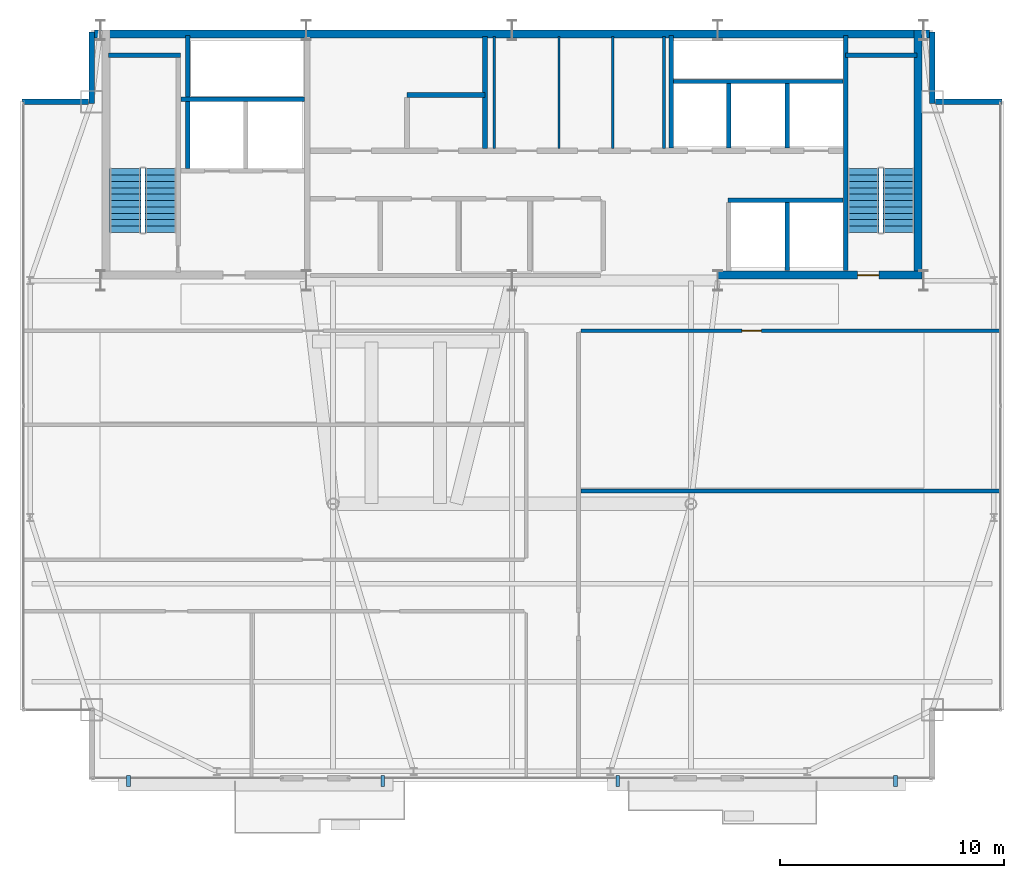
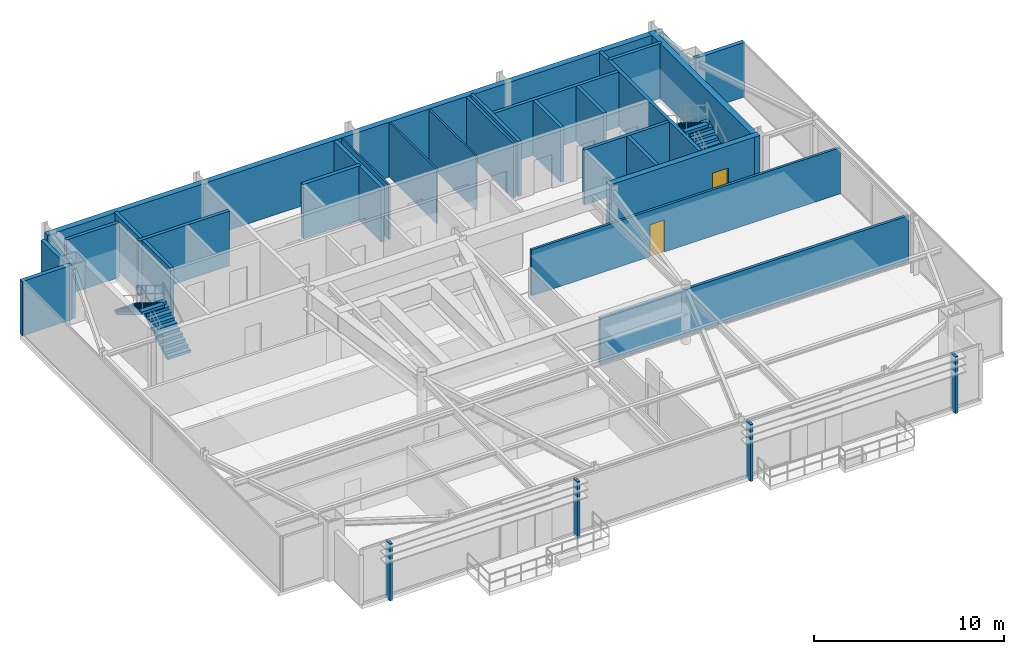
# One storey, part 19 of 21: 26 walls, 4 discrete accessories, 4 stair flights, 2 doors, 2 openings, 2 elements without a shape of their own.
"""IFC4 building model written with IfcOpenShell, lengths in metres."""

from ifc_helpers import new_model, si_unit, direction, frame, frame_2d, origin, origin_2d, place, context, subcontext, project, spatial, polyline, rectangle, outline, extrude, source, transform, mapped, material, layer, layer_set, type_object, type_shapes, element, fill, aggregate, save


model = new_model("IFC4")

# Units and contexts
model_context = context("Model", 3, precision=1e-05, world=origin(), true_north=direction((0.0, 1.0)))
body_context = subcontext(model_context, "Body", "Model", "MODEL_VIEW")
ifc_project = project(units=[si_unit("LENGTHUNIT", "METRE"), si_unit("AREAUNIT", "SQUARE_METRE"), si_unit("VOLUMEUNIT", "CUBIC_METRE"), si_unit("PLANEANGLEUNIT", "RADIAN"), si_unit("MASSUNIT", "GRAM", prefix="KILO")], contexts=[model_context])

# Site, building, storey
site_placement = place(None, origin())
site = spatial("IfcSite", under=ifc_project, at=site_placement, CompositionType="ELEMENT")
building_placement = place(site_placement, origin())
building = spatial("IfcBuilding", under=site, at=building_placement, Name="Varnel Quay Broadcast Tower", CompositionType="ELEMENT")
storey_placement = place(building_placement, frame((0.0, 0.0, 296.39990234375)))
storey = spatial("IfcBuildingStorey", under=building, at=storey_placement, Name="L74", CompositionType="ELEMENT", Elevation=296.39990234375)

# Walls
ifc_material_1 = material(Name="Concrete CSA A23.3 C50/60", Category="concrete")
ifc_layer_1 = layer(ifc_material_1, 0.199951171875, Name="Concrete CSA A23.3 C50/60")
ifc_layer_set_1 = layer_set([ifc_layer_1], Name="Concrete CSA A23.3 C50/60")
wall_type_1 = type_object("IfcWallType", Name="Wall_CoreShaftShear200", PredefinedType="SHEAR", material=ifc_layer_set_1)
wall_1_placement = place(storey_placement, frame((15.949951171875, 45.679931640625, 0.0), z_axis=(0.0, 0.0, 1.0), x_axis=(1.0, 0.0, 0.0)))
element("IfcWall", 1, at=wall_1_placement, inside=storey, type_object=wall_type_1, Name="L74 Stair 1 North Structural Wall", PredefinedType="SHEAR", context=body_context, shape_type="SweptSolid", body=[
    extrude(rectangle(XDim=3.22998046875, YDim=0.199951171875, at=frame_2d((1.614990234375, 0.0))), origin(), (0.0, 0.0, 1.0), 3.52001953125),
])
wall_2_placement = place(storey_placement, frame((19.199951171875, 43.699951171875, 0.0), z_axis=(0.0, 0.0, 1.0), x_axis=(1.0, 0.0, 0.0)))
element("IfcWall", 2, at=wall_2_placement, inside=storey, type_object=wall_type_1, Name="L74 Firefighter Lift Shaft Rear Wall", PredefinedType="SHEAR", context=body_context, shape_type="SweptSolid", body=[
    extrude(rectangle(XDim=5.52001953125, YDim=0.199951171875, at=frame_2d((2.760009765625, 0.0))), origin(), (0.0, 0.0, 1.0), 3.52001953125),
])
wall_3_placement = place(storey_placement, frame((19.5, 40.60009765625, 0.0), z_axis=(0.0, 0.0, 1.0), x_axis=(0.0, 1.0, 0.0)))
element("IfcWall", 3, at=wall_3_placement, inside=storey, type_object=wall_type_1, Name="L74 Firefighter Lift Shaft West Wall", PredefinedType="SHEAR", context=body_context, shape_type="SweptSolid", body=[
    extrude(rectangle(XDim=5.949951171875, YDim=0.199951171875, at=frame_2d((2.97509765625, 0.0))), origin(), (0.0, 0.0, 1.0), 3.52001953125),
])
wall_4_placement = place(storey_placement, frame((48.919921875, 36.050048828125, 0.0), z_axis=(0.0, 0.0, 1.0), x_axis=(0.0, 1.0, 0.0)))
element("IfcWall", 4, at=wall_4_placement, inside=storey, type_object=wall_type_1, Name="L74 Stair 2 West Structural Wall", PredefinedType="SHEAR", context=body_context, shape_type="SweptSolid", body=[
    extrude(rectangle(XDim=10.5, YDim=0.199951171875, at=frame_2d((5.25, 0.0))), origin(), (0.0, 0.0, 1.0), 3.52001953125),
])
wall_5_placement = place(storey_placement, frame((48.919921875, 45.679931640625, 0.0), z_axis=(0.0, 0.0, 1.0), x_axis=(1.0, 0.0, 0.0)))
element("IfcWall", 5, at=wall_5_placement, inside=storey, type_object=wall_type_1, Name="L74 Stair 2 North Structural Wall", PredefinedType="SHEAR", context=body_context, shape_type="SweptSolid", body=[
    extrude(rectangle(XDim=3.18017578125, YDim=0.199951171875, at=frame_2d((1.590087890625, 0.0))), origin(), (0.0, 0.0, 1.0), 3.52001953125),
])
wall_6_placement = place(storey_placement, frame((41.219970703125, 44.5, 0.0), z_axis=(0.0, 0.0, 1.0), x_axis=(1.0, 0.0, 0.0)))
element("IfcWall", 6, at=wall_6_placement, inside=storey, type_object=wall_type_1, Name="L74 High-Rise Lift Shaft Rear Wall", PredefinedType="SHEAR", context=body_context, shape_type="SweptSolid", body=[
    extrude(rectangle(XDim=7.580078125, YDim=0.199951171875, at=frame_2d((3.7900390625, 0.0))), origin(), (0.0, 0.0, 1.0), 3.52001953125),
])
wall_7_placement = place(storey_placement, frame((41.1201171875, 41.530029296875, 0.0), z_axis=(0.0, 0.0, 1.0), x_axis=(0.0, 1.0, 0.0)))
element("IfcWall", 7, at=wall_7_placement, inside=storey, type_object=wall_type_1, Name="L74 High-Rise Lift Shaft Divider 1", PredefinedType="SHEAR", context=body_context, shape_type="SweptSolid", body=[
    extrude(rectangle(XDim=5.02001953125, YDim=0.199951171875, at=frame_2d((2.510009765625, 0.0))), origin(), (0.0, 0.0, 1.0), 3.52001953125),
])
for number, where, z_axis, x_axis, name in (
    (8, (43.699951171875, 41.530029296875, 0.0), (0.0, 0.0, 1.0), (0.0, 1.0, 0.0), "L74 High-Rise Lift Shaft Divider 2"),
    (9, (46.300048828125, 41.530029296875, 0.0), (0.0, 0.0, 1.0), (0.0, 1.0, 0.0), "L74 High-Rise Lift Shaft Divider 3"),
):
    element("IfcWall", number, at=place(storey_placement, frame(where, z_axis=z_axis, x_axis=x_axis)), inside=storey, type_object=wall_type_1, Name=name, PredefinedType="SHEAR", context=body_context, shape_type="SweptSolid", body=[
        extrude(rectangle(XDim=2.869873046875, YDim=0.199951171875, at=frame_2d((1.43505859375, 0.0))), origin(), (0.0, 0.0, 1.0), 3.52001953125),
    ])
wall_8_placement = place(storey_placement, frame((46.300048828125, 36.050048828125, 0.0), z_axis=(0.0, 0.0, 1.0), x_axis=(0.0, 1.0, 0.0)))
element("IfcWall", 10, at=wall_8_placement, inside=storey, type_object=wall_type_1, Name="L74 Express Lift Shaft Divider", PredefinedType="SHEAR", context=body_context, shape_type="SweptSolid", body=[
    extrude(rectangle(XDim=3.050048828125, YDim=0.199951171875, at=frame_2d((1.52490234375, 0.0))), origin(), (0.0, 0.0, 1.0), 3.52001953125),
])
wall_9_placement = place(storey_placement, frame((43.64990234375, 39.199951171875, 0.0), z_axis=(0.0, 0.0, 1.0), x_axis=(1.0, 0.0, 0.0)))
element("IfcWall", 11, at=wall_9_placement, inside=storey, type_object=wall_type_1, Name="L74 Express Lift Shaft North Front Wall", PredefinedType="SHEAR", context=body_context, shape_type="SweptSolid", body=[
    extrude(rectangle(XDim=5.150146484375, YDim=0.199951171875, at=frame_2d((2.5751953125, 0.0))), origin(), (0.0, 0.0, 1.0), 3.52001953125),
])
ifc_layer_2 = layer(ifc_material_1, 0.35009765625, Name="Concrete CSA A23.3 C50/60")
ifc_layer_set_2 = layer_set([ifc_layer_2], Name="Concrete CSA A23.3 C50/60")
wall_type_2 = type_object("IfcWallType", Name="Wall_CoreShearExt350", PredefinedType="SHEAR", material=ifc_layer_set_2)
wall_10_placement = place(storey_placement, frame((15.324951171875, 46.625, 0.0), z_axis=(0.0, 0.0, 1.0), x_axis=(1.0, 0.0, 0.0)))
element("IfcWall", 12, at=wall_10_placement, inside=storey, type_object=wall_type_2, Name="L74 North Core Shear Wall", PredefinedType="SHEAR", context=body_context, shape_type="SweptSolid", body=[
    extrude(rectangle(XDim=37.35009765625, YDim=0.35009765625, at=frame_2d((18.675048828125, 0.0))), origin(), (0.0, 0.0, 1.0), 3.52001953125),
])
ifc_layer_3 = layer(ifc_material_1, 0.35009765625, Name="Concrete CSA A23.3 C50/60")
ifc_layer_set_3 = layer_set([ifc_layer_3], Name="Concrete CSA A23.3 C50/60")
wall_type_3 = type_object("IfcWallType", Name="Wall_CoreShearInt350", PredefinedType="SHEAR", material=ifc_layer_set_3)
wall_11_placement = place(storey_placement, frame((52.155029296875, 35.669921875, 0.0), z_axis=(0.0, 0.0, 1.0), x_axis=(0.0, 1.0, 0.0)))
element("IfcWall", 13, at=wall_11_placement, inside=storey, type_object=wall_type_3, Name="L74 East Core Shear Wall", PredefinedType="SHEAR", context=body_context, shape_type="SweptSolid", body=[
    extrude(rectangle(XDim=11.130126953125, YDim=0.35009765625, at=frame_2d((5.56494140625, 0.0))), origin(), (0.0, 0.0, 1.0), 3.52001953125),
])

# Wall, opening, door
wall_12_placement = place(storey_placement, frame((43.199951171875, 35.844970703125, 0.0), z_axis=(0.0, 0.0, 1.0), x_axis=(1.0, 0.0, 0.0)))
wall_12 = element("IfcWall", 14, at=wall_12_placement, inside=storey, type_object=wall_type_3, Name="L74 South-East Core Shear Wall", PredefinedType="SHEAR", context=body_context, shape_type="SweptSolid", body=[
    extrude(rectangle(XDim=9.130126953125, YDim=0.35009765625, at=frame_2d((4.56494140625, 0.0))), origin(), (0.0, 0.0, 1.0), 3.52001953125),
])
opening_1_placement = place(wall_12_placement, frame((6.25, 0.0, 0.0)))
opening_1 = element("IfcOpeningElement", 15, at=opening_1_placement, cuts=wall_12, Name="Opening D-L74-S2", PredefinedType="OPENING", context=body_context, shape_type="SweptSolid", body=[
    extrude(rectangle(XDim=0.949951171875, YDim=2.10009765625, at=frame_2d((0.47509765625, 1.050048828125))), frame((0.0, 0.18505859375, 0.0), z_axis=(0.0, -1.0, 0.0), x_axis=(1.0, 0.0, 0.0)), (0.0, 0.0, 1.0), 0.3701171875),
])
ifc_material_2 = material(Name="Insulated Fire-Rated Hollow Steel Door", Category="steel")
door_type_1 = type_object("IfcDoorType", Name="Door_FireStair950", OperationType="NOTDEFINED", PredefinedType="DOOR", material=ifc_material_2)
shared_shape_1 = source(origin(), body_context, "Body", "SweptSolid", [
    extrude(rectangle(XDim=0.949951171875, YDim=2.10009765625, at=frame_2d((0.47509765625, 1.050048828125))), frame((0.0, 0.02490234375, 0.0), z_axis=(0.0, -1.0, 0.0), x_axis=(1.0, 0.0, 0.0)), (0.0, 0.0, 1.0), 0.050048828125),
])
type_shapes(door_type_1, [shared_shape_1])
door_1_placement = place(opening_1_placement, origin())
door_1 = element("IfcDoor", 16, at=door_1_placement, inside=storey, type_object=door_type_1, Name="L74 Stair 2 Fire Door", OperationType="SINGLE_SWING_RIGHT", OverallHeight=2.10009765625, OverallWidth=0.949951171875, PredefinedType="DOOR", context=body_context, shape_type="MappedRepresentation", body=[
    mapped(shared_shape_1, transform((0.0, 0.0, 0.0), x_axis=(1.0, 0.0, 0.0), y_axis=(0.0, 1.0, 0.0), z_axis=(0.0, 0.0, 1.0), scale=1.0)),
])
fill(opening_1, door_1)

# Walls
ifc_material_3 = material(Name="Precast Architectural Concrete C40/50", Category="concrete")
ifc_layer_4 = layer(ifc_material_3, 0.25, Name="Precast Architectural Concrete C40/50")
ifc_layer_set_4 = layer_set([ifc_layer_4], Name="Precast Architectural Concrete C40/50")
wall_type_4 = type_object("IfcWallType", Name="Wall_ExtTerrace250", PredefinedType="SOLIDWALL", material=ifc_layer_set_4)
wall_13_placement = place(storey_placement, frame((12.080078125, 43.60009765625, 0.0), z_axis=(0.0, 0.0, 1.0), x_axis=(1.0, 0.0, 0.0)))
element("IfcWall", 17, at=wall_13_placement, inside=storey, type_object=wall_type_4, Name="L74 Mega-Column Notch Cladding Wall NNW1", PredefinedType="SOLIDWALL", context=body_context, shape_type="SweptSolid", body=[
    extrude(rectangle(XDim=2.989990234375, YDim=0.25, at=frame_2d((1.4951171875, 0.0))), origin(), (0.0, 0.0, 1.0), 3.5),
])
wall_14_placement = place(storey_placement, frame((15.199951171875, 43.52001953125, 0.0), z_axis=(0.0, 0.0, 1.0), x_axis=(0.0, 1.0, 0.0)))
element("IfcWall", 18, at=wall_14_placement, inside=storey, type_object=wall_type_4, Name="L74 Mega-Column Notch Cladding Wall NNW2", PredefinedType="SOLIDWALL", context=body_context, shape_type="SweptSolid", body=[
    extrude(rectangle(XDim=3.199951171875, YDim=0.25, at=frame_2d((1.60009765625, 0.0))), origin(), (0.0, 0.0, 1.0), 3.14111328125),
])
wall_15_placement = place(storey_placement, frame((52.929931640625, 43.60009765625, 0.0), z_axis=(0.0, 0.0, 1.0), x_axis=(1.0, 0.0, 0.0)))
element("IfcWall", 19, at=wall_15_placement, inside=storey, type_object=wall_type_4, Name="L74 Mega-Column Notch Cladding Wall NNE1", PredefinedType="SOLIDWALL", context=body_context, shape_type="SweptSolid", body=[
    extrude(rectangle(XDim=2.989990234375, YDim=0.25, at=frame_2d((1.4951171875, 0.0))), origin(), (0.0, 0.0, 1.0), 3.5),
])
wall_16_placement = place(storey_placement, frame((52.800048828125, 43.52001953125, 0.0), z_axis=(0.0, 0.0, 1.0), x_axis=(0.0, 1.0, 0.0)))
element("IfcWall", 20, at=wall_16_placement, inside=storey, type_object=wall_type_4, Name="L74 Mega-Column Notch Cladding Wall NNE2", PredefinedType="SOLIDWALL", context=body_context, shape_type="SweptSolid", body=[
    extrude(rectangle(XDim=3.199951171875, YDim=0.25, at=frame_2d((1.60009765625, 0.0))), origin(), (0.0, 0.0, 1.0), 3.14111328125),
])
ifc_material_4 = material(Name="Steel-Stud Fire-Rated Acoustic Gypsum Partition Assembly", Category="steel")
ifc_layer_5 = layer(ifc_material_4, 0.10498046875, Name="Steel-Stud Fire-Rated Acoustic Gypsum Partition Assembly")
ifc_layer_set_5 = layer_set([ifc_layer_5], Name="Steel-Stud Fire-Rated Acoustic Gypsum Partition Assembly")
wall_type_5 = type_object("IfcWallType", Name="Wall_Partition105", PredefinedType="PARTITIONING", material=ifc_layer_set_5)
for number, where, z_axis, x_axis, name in (
    (21, (36.10009765625, 41.5, 0.0), (0.0, 0.0, 1.0), (0.0, 1.0, 0.0), "L74 Audio Patch Closet Partition 22"),
    (22, (33.199951171875, 41.5, 0.0), (0.0, 0.0, 1.0), (0.0, 1.0, 0.0), "L74 Audio Patch Closet Partition 23"),
    (23, (38.5, 41.5, 0.0), (0.0, 0.0, 1.0), (0.0, 1.0, 0.0), "L74 Bureau Reference Archive Partition 24"),
):
    element("IfcWall", number, at=place(storey_placement, frame(where, z_axis=z_axis, x_axis=x_axis)), inside=storey, type_object=wall_type_5, Name=name, PredefinedType="PARTITIONING", context=body_context, shape_type="SweptSolid", body=[
        extrude(rectangle(XDim=5.02001953125, YDim=0.10498046875, at=frame_2d((2.510009765625, 0.0))), origin(), (0.0, 0.0, 1.0), 3.5),
    ])

# Wall, opening, door
ifc_layer_6 = layer(ifc_material_4, 0.14990234375, Name="Steel-Stud Fire-Rated Acoustic Gypsum Partition Assembly")
ifc_layer_set_6 = layer_set([ifc_layer_6], Name="Steel-Stud Fire-Rated Acoustic Gypsum Partition Assembly")
wall_type_6 = type_object("IfcWallType", Name="Wall_Partition150", PredefinedType="PARTITIONING", material=ifc_layer_set_6)
wall_17_placement = place(storey_placement, frame((37.080078125, 33.35009765625, 0.0), z_axis=(0.0, 0.0, 1.0), x_axis=(1.0, 0.0, 0.0)))
wall_17 = element("IfcWall", 24, at=wall_17_placement, inside=storey, type_object=wall_type_6, Name="L74 Break Kitchen 6 Partition 18", PredefinedType="PARTITIONING", context=body_context, shape_type="SweptSolid", body=[
    extrude(rectangle(XDim=18.739990234375, YDim=0.14990234375, at=frame_2d((9.3701171875, 0.0))), origin(), (0.0, 0.0, 1.0), 2.951171875),
])
opening_2_placement = place(wall_17_placement, frame((7.195068359375, 0.0, 0.0)))
opening_2 = element("IfcOpeningElement", 25, at=opening_2_placement, cuts=wall_17, Name="Opening D-L74-10", PredefinedType="OPENING", context=body_context, shape_type="SweptSolid", body=[
    extrude(rectangle(XDim=0.8798828125, YDim=2.06005859375, at=frame_2d((0.43994140625, 1.030029296875))), frame((0.0, 0.0849609375, 0.0), z_axis=(0.0, -1.0, 0.0), x_axis=(1.0, 0.0, 0.0)), (0.0, 0.0, 1.0), 0.169921875),
])
ifc_material_5 = material(Name="Solid-Core Fire-Rated Acoustic Oak Veneer Door", Category="wood")
door_type_2 = type_object("IfcDoorType", Name="Door_Booth880", OperationType="NOTDEFINED", PredefinedType="DOOR", material=ifc_material_5)
shared_shape_2 = source(origin(), body_context, "Body", "SweptSolid", [
    extrude(rectangle(XDim=0.8798828125, YDim=2.06005859375, at=frame_2d((0.43994140625, 1.030029296875))), frame((0.0, 0.02490234375, 0.0), z_axis=(0.0, -1.0, 0.0), x_axis=(1.0, 0.0, 0.0)), (0.0, 0.0, 1.0), 0.050048828125),
])
type_shapes(door_type_2, [shared_shape_2])
door_2_placement = place(opening_2_placement, frame((0.8798828125, 0.0, 0.0), z_axis=(0.0, 0.0, 1.0), x_axis=(-1.0, 0.0, 0.0)))
door_2 = element("IfcDoor", 26, at=door_2_placement, inside=storey, type_object=door_type_2, Name="L74 Break Kitchen 6 Door D-L74-10", OperationType="SINGLE_SWING_LEFT", OverallHeight=2.06005859375, OverallWidth=0.8798828125, PredefinedType="DOOR", context=body_context, shape_type="MappedRepresentation", body=[
    mapped(shared_shape_2, transform((0.0, 0.0, 0.0), x_axis=(1.0, 0.0, 0.0), y_axis=(0.0, 1.0, 0.0), z_axis=(0.0, 0.0, 1.0), scale=1.0)),
])
fill(opening_2, door_2)

# Walls
wall_18_placement = place(storey_placement, frame((40.800048828125, 41.5, 0.0), z_axis=(0.0, 0.0, 1.0), x_axis=(0.0, 1.0, 0.0)))
element("IfcWall", 27, at=wall_18_placement, inside=storey, type_object=wall_type_6, Name="L74 Crew Espresso Niche Partition 25", PredefinedType="PARTITIONING", context=body_context, shape_type="SweptSolid", body=[
    extrude(rectangle(XDim=5.02001953125, YDim=0.14990234375, at=frame_2d((2.510009765625, 0.0))), origin(), (0.0, 0.0, 1.0), 3.5),
])
ifc_layer_7 = layer(ifc_material_4, 0.175048828125, Name="Steel-Stud Fire-Rated Acoustic Gypsum Partition Assembly")
ifc_layer_set_7 = layer_set([ifc_layer_7], Name="Steel-Stud Fire-Rated Acoustic Gypsum Partition Assembly")
wall_type_7 = type_object("IfcWallType", Name="Wall_Partition175", PredefinedType="PARTITIONING", material=ifc_layer_set_7)
wall_19_placement = place(storey_placement, frame((37.080078125, 26.179931640625, 0.0), z_axis=(0.0, 0.0, 1.0), x_axis=(1.0, 0.0, 0.0)))
element("IfcWall", 28, at=wall_19_placement, inside=storey, type_object=wall_type_7, Name="L74 Editorial Boardroom 5 Partition 14", PredefinedType="PARTITIONING", context=body_context, shape_type="SweptSolid", body=[
    extrude(rectangle(XDim=18.739990234375, YDim=0.175048828125, at=frame_2d((9.3701171875, 0.0))), origin(), (0.0, 0.0, 1.0), 2.951171875),
])
ifc_layer_8 = layer(ifc_material_4, 0.22509765625, Name="Steel-Stud Fire-Rated Acoustic Gypsum Partition Assembly")
ifc_layer_set_8 = layer_set([ifc_layer_8], Name="Steel-Stud Fire-Rated Acoustic Gypsum Partition Assembly")
wall_type_8 = type_object("IfcWallType", Name="Wall_Partition225", PredefinedType="PARTITIONING", material=ifc_layer_set_8)
wall_20_placement = place(storey_placement, frame((29.300048828125, 43.89990234375, 0.0), z_axis=(0.0, 0.0, 1.0), x_axis=(1.0, 0.0, 0.0)))
element("IfcWall", 29, at=wall_20_placement, inside=storey, type_object=wall_type_8, Name="L74 Signal Routing Suite Partition 20", PredefinedType="PARTITIONING", context=body_context, shape_type="SweptSolid", body=[
    extrude(rectangle(XDim=3.5, YDim=0.22509765625, at=frame_2d((1.75, 0.0))), origin(), (0.0, 0.0, 1.0), 3.5),
])
wall_21_placement = place(storey_placement, frame((32.800048828125, 41.5, 0.0), z_axis=(0.0, 0.0, 1.0), x_axis=(0.0, 1.0, 0.0)))
element("IfcWall", 30, at=wall_21_placement, inside=storey, type_object=wall_type_8, Name="L74 Signal Routing Suite Partition 21", PredefinedType="PARTITIONING", context=body_context, shape_type="SweptSolid", body=[
    extrude(rectangle(XDim=5.02001953125, YDim=0.22509765625, at=frame_2d((2.510009765625, 0.0))), origin(), (0.0, 0.0, 1.0), 3.5),
])

# Stair, stair flights
ifc_material_6 = material(Name="Precast Structural Concrete C40/50", Category="concrete")
stair_type_1 = type_object("IfcStairType", Name="Stair_ST-01", PredefinedType="HALF_TURN_STAIR", material=ifc_material_6)
stair_1_placement = place(storey_placement, origin())
stair_1 = element("IfcStair", 31, at=stair_1_placement, inside=storey, type_object=stair_type_1, Name="L74 West Core Exit Stair 1", PredefinedType="HALF_TURN_STAIR")
stair_flight_type_1 = type_object("IfcStairFlightType", Name="Flight_ST-01", PredefinedType="STRAIGHT", material=ifc_material_6)
stair_flight_1_placement = place(storey_placement, frame((18.300048828125, 37.75, 0.0), z_axis=(0.0, 0.0, 1.0), x_axis=(0.0, 1.0, 0.0)))
stair_flight_1 = element("IfcStairFlight", 32, at=stair_flight_1_placement, type_object=stair_flight_type_1, Name="ST-01 flight 1", NumberOfRisers=11, NumberOfTreads=10, PredefinedType="STRAIGHT", RiserHeight=0.172727273, TreadLength=0.285, context=body_context, shape_type="SweptSolid", body=[
    extrude(outline(polyline([(0.0, 0.0), (0.0, 0.172607421875), (0.284912109375, 0.172607421875), (0.284912109375, 0.345458984375), (0.570068359375, 0.345458984375), (0.570068359375, 0.51806640625), (0.85498046875, 0.51806640625), (0.85498046875, 0.69091796875), (1.139892578125, 0.69091796875), (1.139892578125, 0.863525390625), (1.425048828125, 0.863525390625), (1.425048828125, 1.036376953125), (1.7099609375, 1.036376953125), (1.7099609375, 1.208984375), (1.9951171875, 1.208984375), (1.9951171875, 1.3818359375), (2.280029296875, 1.3818359375), (2.280029296875, 1.554443359375), (2.56494140625, 1.554443359375), (2.56494140625, 1.727294921875), (2.85009765625, 1.727294921875), (2.85009765625, 1.89990234375), (2.85009765625, 1.552001953125), (0.289306640625, 0.0), (0.0, 0.0)])), frame((0.0, 0.699951171875, 0.0), z_axis=(0.0, -1.0, 0.0), x_axis=(1.0, 0.0, 0.0)), (0.0, 0.0, 1.0), 1.39990234375),
])
stair_flight_2_placement = place(storey_placement, frame((16.699951171875, 40.60009765625, 1.900146484375), z_axis=(0.0, 0.0, 1.0), x_axis=(0.0, -1.0, 0.0)))
stair_flight_2 = element("IfcStairFlight", 33, at=stair_flight_2_placement, type_object=stair_flight_type_1, Name="ST-01 flight 2", NumberOfRisers=11, NumberOfTreads=10, PredefinedType="STRAIGHT", RiserHeight=0.172727273, TreadLength=0.285, context=body_context, shape_type="SweptSolid", body=[
    extrude(outline(polyline([(0.0, 0.0), (0.0, 0.172607421875), (0.284912109375, 0.172607421875), (0.284912109375, 0.345458984375), (0.570068359375, 0.345458984375), (0.570068359375, 0.51806640625), (0.85498046875, 0.51806640625), (0.85498046875, 0.69091796875), (1.139892578125, 0.69091796875), (1.139892578125, 0.863525390625), (1.425048828125, 0.863525390625), (1.425048828125, 1.036376953125), (1.7099609375, 1.036376953125), (1.7099609375, 1.208984375), (1.9951171875, 1.208984375), (1.9951171875, 1.3818359375), (2.280029296875, 1.3818359375), (2.280029296875, 1.554443359375), (2.56494140625, 1.554443359375), (2.56494140625, 1.727294921875), (2.85009765625, 1.727294921875), (2.85009765625, 1.89990234375), (2.85009765625, 1.552001953125), (0.289306640625, 0.0), (0.0, 0.0)])), frame((0.0, 0.699951171875, 0.0), z_axis=(0.0, -1.0, 0.0), x_axis=(1.0, 0.0, 0.0)), (0.0, 0.0, 1.0), 1.39990234375),
])
aggregate(stair_1, [stair_flight_1, stair_flight_2])

stair_type_2 = type_object("IfcStairType", Name="Stair_ST-02", PredefinedType="HALF_TURN_STAIR", material=ifc_material_6)
stair_2_placement = place(storey_placement, origin())
stair_2 = element("IfcStair", 34, at=stair_2_placement, inside=storey, type_object=stair_type_2, Name="L74 East Core Exit Stair 2", PredefinedType="HALF_TURN_STAIR")
stair_flight_type_2 = type_object("IfcStairFlightType", Name="Flight_ST-02", PredefinedType="STRAIGHT", material=ifc_material_6)
stair_flight_3_placement = place(storey_placement, frame((51.300048828125, 37.75, 0.0), z_axis=(0.0, 0.0, 1.0), x_axis=(0.0, 1.0, 0.0)))
stair_flight_3 = element("IfcStairFlight", 35, at=stair_flight_3_placement, type_object=stair_flight_type_2, Name="ST-02 flight 1", NumberOfRisers=11, NumberOfTreads=10, PredefinedType="STRAIGHT", RiserHeight=0.172727273, TreadLength=0.285, context=body_context, shape_type="SweptSolid", body=[
    extrude(outline(polyline([(0.0, 0.0), (0.0, 0.172607421875), (0.284912109375, 0.172607421875), (0.284912109375, 0.345458984375), (0.570068359375, 0.345458984375), (0.570068359375, 0.51806640625), (0.85498046875, 0.51806640625), (0.85498046875, 0.69091796875), (1.139892578125, 0.69091796875), (1.139892578125, 0.863525390625), (1.425048828125, 0.863525390625), (1.425048828125, 1.036376953125), (1.7099609375, 1.036376953125), (1.7099609375, 1.208984375), (1.9951171875, 1.208984375), (1.9951171875, 1.3818359375), (2.280029296875, 1.3818359375), (2.280029296875, 1.554443359375), (2.56494140625, 1.554443359375), (2.56494140625, 1.727294921875), (2.85009765625, 1.727294921875), (2.85009765625, 1.89990234375), (2.85009765625, 1.552001953125), (0.289306640625, 0.0), (0.0, 0.0)])), frame((0.0, 0.699951171875, 0.0), z_axis=(0.0, -1.0, 0.0), x_axis=(1.0, 0.0, 0.0)), (0.0, 0.0, 1.0), 1.39990234375),
])
stair_flight_4_placement = place(storey_placement, frame((49.699951171875, 40.60009765625, 1.900146484375), z_axis=(0.0, 0.0, 1.0), x_axis=(0.0, -1.0, 0.0)))
stair_flight_4 = element("IfcStairFlight", 36, at=stair_flight_4_placement, type_object=stair_flight_type_2, Name="ST-02 flight 2", NumberOfRisers=11, NumberOfTreads=10, PredefinedType="STRAIGHT", RiserHeight=0.172727273, TreadLength=0.285, context=body_context, shape_type="SweptSolid", body=[
    extrude(outline(polyline([(0.0, 0.0), (0.0, 0.172607421875), (0.284912109375, 0.172607421875), (0.284912109375, 0.345458984375), (0.570068359375, 0.345458984375), (0.570068359375, 0.51806640625), (0.85498046875, 0.51806640625), (0.85498046875, 0.69091796875), (1.139892578125, 0.69091796875), (1.139892578125, 0.863525390625), (1.425048828125, 0.863525390625), (1.425048828125, 1.036376953125), (1.7099609375, 1.036376953125), (1.7099609375, 1.208984375), (1.9951171875, 1.208984375), (1.9951171875, 1.3818359375), (2.280029296875, 1.3818359375), (2.280029296875, 1.554443359375), (2.56494140625, 1.554443359375), (2.56494140625, 1.727294921875), (2.85009765625, 1.727294921875), (2.85009765625, 1.89990234375), (2.85009765625, 1.552001953125), (0.289306640625, 0.0), (0.0, 0.0)])), frame((0.0, 0.699951171875, 0.0), z_axis=(0.0, -1.0, 0.0), x_axis=(1.0, 0.0, 0.0)), (0.0, 0.0, 1.0), 1.39990234375),
])
aggregate(stair_2, [stair_flight_3, stair_flight_4])

# Discrete accessories
ifc_material_7 = material(Name="Anodised Bronze Aluminium 6063-T6", Category="aluminium")
ifc_layer_9 = layer(ifc_material_7, 0.47998046875, Name="Anodised Bronze Aluminium 6063-T6")
ifc_layer_set_9 = layer_set([ifc_layer_9], Name="Anodised Bronze Aluminium 6063-T6")
discrete_accessory_type = type_object("IfcDiscreteAccessoryType", Name="Acc_FacadeBracket", PredefinedType="BRACKET", material=ifc_layer_set_9)
shared_shape_3 = source(origin(), body_context, "Body", "SweptSolid", [
    extrude(rectangle(XDim=0.159912109375, YDim=0.47998046875, at=origin_2d()), origin(), (0.0, 0.0, 1.0), 3.64990234375),
])
type_shapes(discrete_accessory_type, [shared_shape_3])
for number, where, z_axis, x_axis, name in (
    (37, (16.85009765625, 13.219970703125, -0.14990234375), (0.0, 0.0, 1.0), (1.0, 0.0, 0.0), "L74 Lobe 1 Louvre Support Bracket 1"),
    (38, (28.220947265625, 13.219970703125, -0.14990234375), (0.0, 0.0, 1.0), (1.0, 0.0, 0.0), "L74 Lobe 1 Louvre Support Bracket 2"),
    (39, (38.720947265625, 13.219970703125, -0.14990234375), (0.0, 0.0, 1.0), (1.0, 0.0, 0.0), "L74 Lobe 2 Louvre Support Bracket 1"),
    (40, (51.14990234375, 13.219970703125, -0.14990234375), (0.0, 0.0, 1.0), (1.0, 0.0, 0.0), "L74 Lobe 2 Louvre Support Bracket 2"),
):
    element("IfcDiscreteAccessory", number, at=place(storey_placement, frame(where, z_axis=z_axis, x_axis=x_axis)), inside=storey, type_object=discrete_accessory_type, Name=name, PredefinedType="BRACKET", context=body_context, shape_type="MappedRepresentation", body=[
        mapped(shared_shape_3, transform((0.0, 0.0, 0.0), x_axis=(1.0, 0.0, 0.0), y_axis=(0.0, 1.0, 0.0), z_axis=(0.0, 0.0, 1.0), scale=1.0)),
    ])

save(model, "model.ifc")
